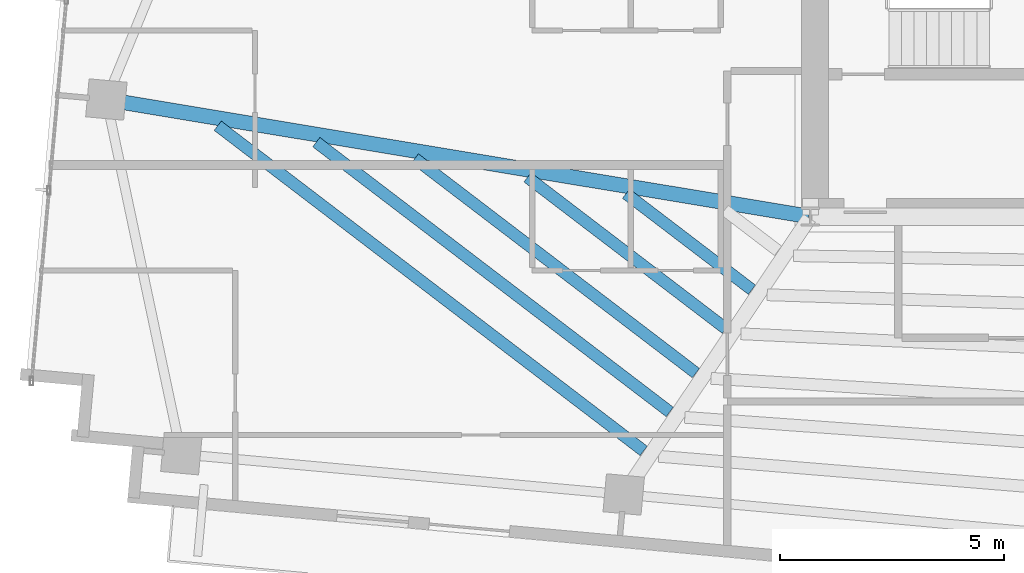
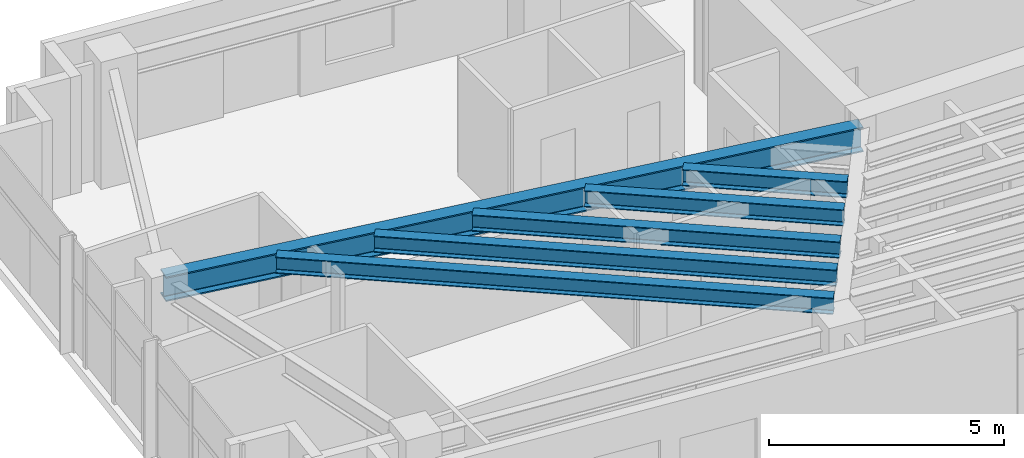
# One storey, part 5 of 22: 6 beams.
"""IFC4 building model written with IfcOpenShell, lengths in metres."""

import ifcopenshell
import ifcopenshell.guid

model = None  # the IFC model being written
_history = None  # IfcOwnerHistory: only IFC2X3 demands one
_inside = {}  # id of a spatial element -> (the spatial element, [elements in it])
_under = {}  # id of a project, library or spatial element -> (it, [spatial elements below it])
_declared = {}  # id of a project -> (the project, [libraries it declares])
_typed = {}  # id of a type object -> (the type object, [elements of that type])
_made_of = {}  # id of a material, layer set ... -> (it, [elements and type objects made of it])


def new_model(schema):
    """Start an empty IFC model of exactly this schema.

    Asked for "IFC4X3", IfcOpenShell would pick the latest addendum, in which some entities
    have other attributes; the version numbers below select the first issue.
    IFC2X3 requires an IfcOwnerHistory on every rooted entity: one is made here for all.
    """
    global model, _history
    if schema == "IFC4X3":
        model = ifcopenshell.file(schema_version=(4, 3, 0, 0))
    else:
        model = ifcopenshell.file(schema=schema)
    _inside.clear()
    _under.clear()
    _declared.clear()
    _typed.clear()
    _made_of.clear()
    _history = None
    if model.schema == "IFC2X3":
        org = make("IfcOrganization", Name="unknown")
        user = make(
            "IfcPersonAndOrganization",
            ThePerson=make("IfcPerson", FamilyName="unknown"),
            TheOrganization=org,
        )
        app = make(
            "IfcApplication",
            ApplicationDeveloper=org,
            Version="unknown",
            ApplicationFullName="unknown",
            ApplicationIdentifier="unknown",
        )
        _history = make(
            "IfcOwnerHistory",
            OwningUser=user,
            OwningApplication=app,
            ChangeAction="ADDED",
            CreationDate=0,
        )
    return model


def make(cls, **values):
    """One entity of the class cls with the attributes given. An attribute that is None is left unset."""
    return model.create_entity(
        cls, **{name: value for name, value in values.items() if value is not None}
    )


def rooted(cls, **values):
    """An entity with a GlobalId (a new one), such as an element, a storey or a relation."""
    return make(cls, GlobalId=ifcopenshell.guid.new(), OwnerHistory=_history, **values)


def si_unit(unit_type, name, prefix=None):
    """IfcSIUnit, for example si_unit("LENGTHUNIT", "METRE", prefix="MILLI")."""
    return make("IfcSIUnit", UnitType=unit_type, Prefix=prefix, Name=name)


def assignment(units):
    """IfcUnitAssignment: the units of a project."""
    return None if units is None else make("IfcUnitAssignment", Units=units)


def point(xyz):
    """IfcCartesianPoint."""
    return None if xyz is None else make("IfcCartesianPoint", Coordinates=xyz)


def direction(xyz):
    """IfcDirection."""
    return None if xyz is None else make("IfcDirection", DirectionRatios=xyz)


def frame(location, z_axis=None, x_axis=None):
    """IfcAxis2Placement3D, a coordinate frame: its origin and axes. An axis left out is left unset."""
    return make(
        "IfcAxis2Placement3D",
        Location=point(location),
        Axis=direction(z_axis),
        RefDirection=direction(x_axis),
    )


def frame_2d(location, x_axis=None):
    """IfcAxis2Placement2D, a coordinate frame in the plane: its origin and x axis."""
    return make(
        "IfcAxis2Placement2D", Location=point(location), RefDirection=direction(x_axis)
    )


def origin():
    """The frame at (0, 0, 0) with its axes left unset."""
    return frame((0.0, 0.0, 0.0))


def origin_2d():
    """The frame at (0, 0) in the plane with its x axis left unset."""
    return frame_2d((0.0, 0.0))


def place(relative_to, where):
    """IfcLocalPlacement: puts the frame where relative to a parent placement (None: the world)."""
    return make(
        "IfcLocalPlacement", PlacementRelTo=relative_to, RelativePlacement=where
    )


def context(
    kind, dimensions, precision=None, world=None, true_north=None, identifier=None
):
    """IfcGeometricRepresentationContext, for example the 3D "Model" context."""
    return make(
        "IfcGeometricRepresentationContext",
        ContextIdentifier=identifier,
        ContextType=kind,
        CoordinateSpaceDimension=dimensions,
        Precision=precision,
        WorldCoordinateSystem=world,
        TrueNorth=true_north,
    )


def subcontext(parent, identifier, kind, view, scale=None):
    """IfcGeometricRepresentationSubContext, for example "Body" below "Model"."""
    return make(
        "IfcGeometricRepresentationSubContext",
        ContextIdentifier=identifier,
        ContextType=kind,
        ParentContext=parent,
        TargetScale=scale,
        TargetView=view,
    )


def project(units=None, contexts=None):
    """IfcProject with its units and contexts."""
    return rooted(
        "IfcProject",
        Name="project",
        RepresentationContexts=contexts,
        UnitsInContext=assignment(units),
    )


def spatial(cls, under=None, at=None, **own):
    """A site, building, storey or space (cls), placed at a placement, below another one or the project."""
    s = rooted(cls, ObjectPlacement=at, **own)
    if under is not None:
        _under.setdefault(under.id(), (under, []))[1].append(s)
    return s


def profile(cls, at=None, kind="AREA", **sizes):
    """A parametric profile (cls). Its sizes go by their IFC names, for example OverallWidth=200.0."""
    return make(cls, ProfileType=kind, Position=at, **sizes)


def i_section(**sizes):
    """IfcIShapeProfileDef."""
    return profile("IfcIShapeProfileDef", **sizes)


def extrude(swept, where, along, depth):
    """IfcExtrudedAreaSolid: the profile swept, set in the frame where, extruded along a direction by depth."""
    return make(
        "IfcExtrudedAreaSolid",
        SweptArea=swept,
        Position=where,
        ExtrudedDirection=direction(along),
        Depth=depth,
    )


def shape(context_of_items, identifier, shape_type, items):
    """IfcShapeRepresentation: the items that make up one representation, for example the "Body"."""
    return make(
        "IfcShapeRepresentation",
        ContextOfItems=context_of_items,
        RepresentationIdentifier=identifier,
        RepresentationType=shape_type,
        Items=items,
    )


def source(mapping_origin, context_of_items, identifier, shape_type, items):
    """IfcRepresentationMap: a shape defined once, which mapped items show again and again."""
    return make(
        "IfcRepresentationMap",
        MappingOrigin=mapping_origin,
        MappedRepresentation=shape(context_of_items, identifier, shape_type, items),
    )


def transform(
    local_origin,
    x_axis=None,
    y_axis=None,
    z_axis=None,
    scale=None,
    scale2=None,
    scale3=None,
    uniform=True,
):
    """IfcCartesianTransformationOperator3D, or its non-uniform kind. x_axis, y_axis, z_axis: its Axis1, 2, 3."""
    if uniform:
        return make(
            "IfcCartesianTransformationOperator3D",
            Axis1=direction(x_axis),
            Axis2=direction(y_axis),
            LocalOrigin=point(local_origin),
            Scale=scale,
            Axis3=direction(z_axis),
        )
    return make(
        "IfcCartesianTransformationOperator3DnonUniform",
        Axis1=direction(x_axis),
        Axis2=direction(y_axis),
        LocalOrigin=point(local_origin),
        Scale=scale,
        Axis3=direction(z_axis),
        Scale2=scale2,
        Scale3=scale3,
    )


def mapped(mapping_source, mapping_target):
    """IfcMappedItem: shows the shape of a source again, moved by a transform."""
    return make(
        "IfcMappedItem", MappingSource=mapping_source, MappingTarget=mapping_target
    )


def material(Name=None, Category=None):
    """IfcMaterial."""
    return make("IfcMaterial", Name=Name, Category=Category)


def material_profile(
    of_material, cross_section, Name=None, Category=None, Priority=None
):
    """IfcMaterialProfile: a cross section and its material."""
    return make(
        "IfcMaterialProfile",
        Name=Name,
        Material=of_material,
        Profile=cross_section,
        Priority=Priority,
        Category=Category,
    )


def profile_set(profiles, Name=None, composite=None):
    """IfcMaterialProfileSet."""
    return make(
        "IfcMaterialProfileSet",
        Name=Name,
        MaterialProfiles=profiles,
        CompositeProfile=composite,
    )


def made_of(thing, what):
    """Note that an element or type object is made of a material, layer set ...; save() writes the relation."""
    if what is not None:
        _made_of.setdefault(what.id(), (what, []))[1].append(thing)
    return thing


def type_object(cls, material=None, **own):
    """A type object (cls), such as IfcWallType, which elements share."""
    return made_of(rooted(cls, **own), material)


def type_shapes(of_type, sources):
    """Give a type object the sources (RepresentationMaps) that its elements show as mapped items."""
    of_type.RepresentationMaps = sources


def element(
    cls,
    number,
    at=None,
    inside=None,
    cuts=None,
    type_object=None,
    material=None,
    context=None,
    identifier="Body",
    shape_type=None,
    held_by="IfcProductDefinitionShape",
    body=None,
    shapes=None,
    **own,
):
    """One element of the class cls, such as IfcWall. Its Tag is "e" and its number.

    at: its placement. inside: the storey or other place that contains it. cuts: it is an
    opening in that element (IfcRelVoidsElement). A single representation is given by context,
    identifier, shape_type and body (its items); several are given by shapes. held_by: the class
    of the entity that holds the representations. save() writes the other relations.
    """
    e = rooted(cls, Tag="e%d" % number, ObjectPlacement=at, **own)
    if body is not None:
        shapes = [shape(context, identifier, shape_type, body)]
    if shapes is not None:
        e.Representation = make(held_by, Representations=shapes)
    if inside is not None:
        _inside.setdefault(inside.id(), (inside, []))[1].append(e)
    if cuts is not None:
        rooted(
            "IfcRelVoidsElement", RelatingBuildingElement=cuts, RelatedOpeningElement=e
        )
    if type_object is not None:
        _typed.setdefault(type_object.id(), (type_object, []))[1].append(e)
    return made_of(e, material)


def aggregate(whole, parts):
    """IfcRelAggregates: a whole, such as a stair, and the parts it consists of."""
    return rooted("IfcRelAggregates", RelatingObject=whole, RelatedObjects=parts)


def save(model, path):
    """Write the relations noted so far, then the file.

    IfcRelAggregates (storeys below a building ...), IfcRelContainedInSpatialStructure (elements
    in a storey), IfcRelDefinesByType, IfcRelAssociatesMaterial and IfcRelDeclares: one each for
    every whole, place, type object, material and project.
    """
    for whole, parts in _under.values():
        aggregate(whole, parts)
    for where, things in _inside.values():
        rooted(
            "IfcRelContainedInSpatialStructure",
            RelatedElements=things,
            RelatingStructure=where,
        )
    for kind, things in _typed.values():
        rooted("IfcRelDefinesByType", RelatedObjects=things, RelatingType=kind)
    for what, things in _made_of.values():
        rooted("IfcRelAssociatesMaterial", RelatedObjects=things, RelatingMaterial=what)
    for by, libraries in _declared.values():
        rooted("IfcRelDeclares", RelatingContext=by, RelatedDefinitions=libraries)
    model.write(path)


model = new_model("IFC4")

# Units and contexts
model_context = context("Model", 3, precision=1e-05, world=origin(), true_north=direction((0.0, 1.0)))
body_context = subcontext(model_context, "Body", "Model", "MODEL_VIEW")
ifc_project = project(units=[si_unit("LENGTHUNIT", "METRE"), si_unit("AREAUNIT", "SQUARE_METRE"), si_unit("VOLUMEUNIT", "CUBIC_METRE"), si_unit("PLANEANGLEUNIT", "RADIAN"), si_unit("MASSUNIT", "GRAM", prefix="KILO")], contexts=[model_context])

# Site, building, storey
site_placement = place(None, origin())
site = spatial("IfcSite", under=ifc_project, at=site_placement, CompositionType="ELEMENT")
building_placement = place(site_placement, origin())
building = spatial("IfcBuilding", under=site, at=building_placement, Name="Astriad Promenade Condominiums", CompositionType="ELEMENT")
storey_placement = place(building_placement, frame((0.0, 0.0, 249.60009765625)))
storey = spatial("IfcBuildingStorey", under=building, at=storey_placement, Name="L72", CompositionType="ELEMENT", Elevation=249.60009765625)

# Beams
ifc_material = material(Name="Steel ASTM A992 Grade 50", Category="steel")
ifc_material_profile_1 = material_profile(ifc_material, i_section(OverallWidth=0.327392578125, OverallDepth=0.640625, WebThickness=0.01904296875, FlangeThickness=0.033935546875, FilletRadius=0.017822265625, at=origin_2d()), Name="W24X176")
ifc_profile_set_1 = profile_set([ifc_material_profile_1], Name="Steel ASTM A992 Grade 50")
beam_type_1 = type_object("IfcBeamType", Name="STEEL FLOOR GIRDER W24X176", PredefinedType="BEAM", material=ifc_profile_set_1)
shared_shape_1 = source(origin(), body_context, "Body", "SweptSolid", [
    extrude(i_section(OverallWidth=0.327392578125, OverallDepth=0.640625, WebThickness=0.01904296875, FlangeThickness=0.033935546875, FilletRadius=0.017822265625, at=origin_2d()), origin(), (0.0, 0.0, 1.0), 15.824462890625),
])
type_shapes(beam_type_1, [shared_shape_1])
beam_1_placement = place(storey_placement, frame((10.750732421875, 20.003662109375, 2.719482421875), z_axis=(0.986439752668, -0.164123777548, 0.0), x_axis=(0.164123777548, 0.986439752668, 0.0)))
element("IfcBeam", 1, at=beam_1_placement, inside=storey, type_object=beam_type_1, Name="Primary Floor Girder PG-WM-L72", PredefinedType="BEAM", context=body_context, shape_type="MappedRepresentation", body=[
    mapped(shared_shape_1, transform((0.0, 0.0, 0.0), scale=1.0)),
])
ifc_material_profile_2 = material_profile(ifc_material, i_section(OverallWidth=0.26318359375, OverallDepth=0.425537109375, WebThickness=0.01318359375, FlangeThickness=0.022216796875, FilletRadius=0.013916015625, at=origin_2d()), Name="W16X89")
ifc_profile_set_2 = profile_set([ifc_material_profile_2], Name="Steel ASTM A992 Grade 50")
beam_type_2 = type_object("IfcBeamType", Name="STEEL FLOOR JOIST W16X89", PredefinedType="JOIST", material=ifc_profile_set_2)
shared_shape_2 = source(origin(), body_context, "Body", "SweptSolid", [
    extrude(i_section(OverallWidth=0.26318359375, OverallDepth=0.425537109375, WebThickness=0.01318359375, FlangeThickness=0.022216796875, FilletRadius=0.013916015625, at=origin_2d()), origin(), (0.0, 0.0, 1.0), 11.941162109375),
])
beam_2_placement = place(storey_placement, frame((13.193603515625, 19.426513671875, 2.8271484375), z_axis=(0.794872876153, -0.606775997182, 0.0), x_axis=(0.606775997182, 0.794872876153, 0.0)))
element("IfcBeam", 2, at=beam_2_placement, inside=storey, type_object=beam_type_2, Name="Secondary Composite Floor Joist JW1-1-L72", PredefinedType="JOIST", context=body_context, shape_type="MappedRepresentation", body=[
    mapped(shared_shape_2, transform((0.0, 0.0, 0.0), scale=1.0)),
])
shared_shape_3 = source(origin(), body_context, "Body", "SweptSolid", [
    extrude(i_section(OverallWidth=0.26318359375, OverallDepth=0.425537109375, WebThickness=0.01318359375, FlangeThickness=0.022216796875, FilletRadius=0.013916015625, at=origin_2d()), origin(), (0.0, 0.0, 1.0), 9.91015625),
])
beam_3_placement = place(storey_placement, frame((15.39013671875, 19.06103515625, 2.8271484375), z_axis=(0.794880580107, -0.606765904916, 0.0), x_axis=(0.606765904916, 0.794880580107, 0.0)))
element("IfcBeam", 3, at=beam_3_placement, inside=storey, type_object=beam_type_2, Name="Secondary Composite Floor Joist JW1-2-L72", PredefinedType="JOIST", context=body_context, shape_type="MappedRepresentation", body=[
    mapped(shared_shape_3, transform((0.0, 0.0, 0.0), scale=1.0)),
])
shared_shape_4 = source(origin(), body_context, "Body", "SweptSolid", [
    extrude(i_section(OverallWidth=0.26318359375, OverallDepth=0.425537109375, WebThickness=0.01318359375, FlangeThickness=0.022216796875, FilletRadius=0.013916015625, at=origin_2d()), origin(), (0.0, 0.0, 1.0), 7.8798828125),
])
beam_4_placement = place(storey_placement, frame((17.58642578125, 18.69580078125, 2.8271484375), z_axis=(0.794873774806, -0.60677481995, 0.0), x_axis=(0.60677481995, 0.794873774806, 0.0)))
element("IfcBeam", 4, at=beam_4_placement, inside=storey, type_object=beam_type_2, Name="Secondary Composite Floor Joist JW1-3-L72", PredefinedType="JOIST", context=body_context, shape_type="MappedRepresentation", body=[
    mapped(shared_shape_4, transform((0.0, 0.0, 0.0), scale=1.0)),
])
shared_shape_5 = source(origin(), body_context, "Body", "SweptSolid", [
    extrude(i_section(OverallWidth=0.26318359375, OverallDepth=0.425537109375, WebThickness=0.01318359375, FlangeThickness=0.022216796875, FilletRadius=0.013916015625, at=origin_2d()), origin(), (0.0, 0.0, 1.0), 5.55908203125),
])
beam_5_placement = place(storey_placement, frame((20.0966796875, 18.278076171875, 2.8271484375), z_axis=(0.794874877878, -0.606773374925, 0.0), x_axis=(0.606773374925, 0.794874877878, 0.0)))
element("IfcBeam", 5, at=beam_5_placement, inside=storey, type_object=beam_type_2, Name="Secondary Composite Floor Joist JW1-4-L72", PredefinedType="JOIST", context=body_context, shape_type="MappedRepresentation", body=[
    mapped(shared_shape_5, transform((0.0, 0.0, 0.0), scale=1.0)),
])
shared_shape_6 = source(origin(), body_context, "Body", "SweptSolid", [
    extrude(i_section(OverallWidth=0.26318359375, OverallDepth=0.425537109375, WebThickness=0.01318359375, FlangeThickness=0.022216796875, FilletRadius=0.013916015625, at=origin_2d()), origin(), (0.0, 0.0, 1.0), 3.5283203125),
])
type_shapes(beam_type_2, [shared_shape_2, shared_shape_3, shared_shape_4, shared_shape_5, shared_shape_6])
beam_6_placement = place(storey_placement, frame((22.293212890625, 17.91259765625, 2.8271484375), z_axis=(0.794864295135, -0.606787238099, 0.0), x_axis=(0.606787238099, 0.794864295135, 0.0)))
element("IfcBeam", 6, at=beam_6_placement, inside=storey, type_object=beam_type_2, Name="Secondary Composite Floor Joist JW1-5-L72", PredefinedType="JOIST", context=body_context, shape_type="MappedRepresentation", body=[
    mapped(shared_shape_6, transform((0.0, 0.0, 0.0), scale=1.0)),
])

save(model, "model.ifc")
